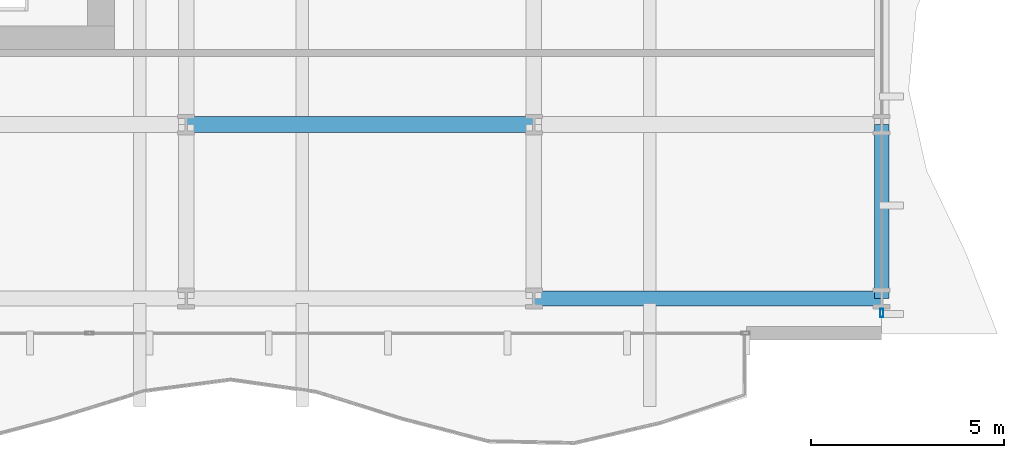
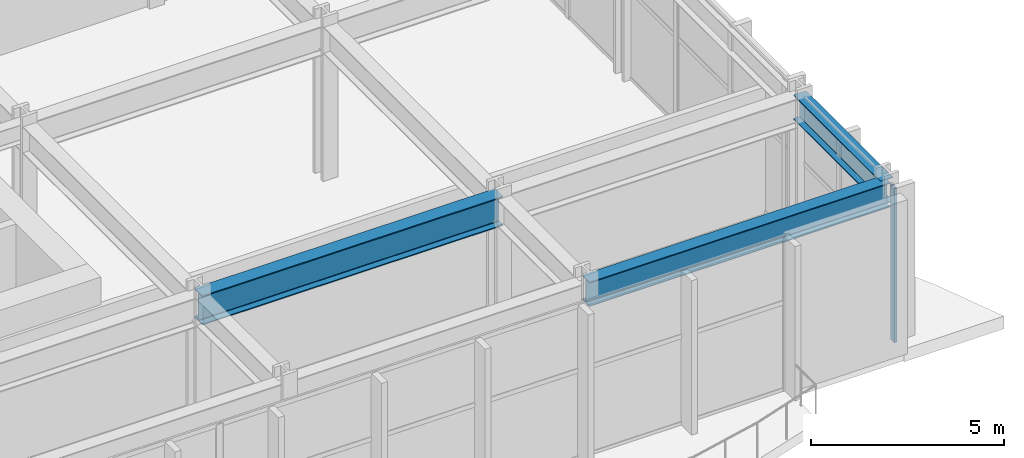
# One storey, part 9 of 31: 3 beams, 1 member, 1 element without a shape of its own.
"""IFC4 building model written with IfcOpenShell, lengths in metres."""

from ifc_helpers import new_model, si_unit, direction, frame, origin, origin_2d, place, context, subcontext, project, spatial, hollow_rectangle, i_section, extrude, material, layer, layer_set, material_profile, profile_set, type_object, element, aggregate, save


model = new_model("IFC4")

# Units and contexts
model_context = context("Model", 3, precision=1e-05, world=origin(), true_north=direction((0.0, 1.0)))
body_context = subcontext(model_context, "Body", "Model", "MODEL_VIEW")
ifc_project = project(units=[si_unit("LENGTHUNIT", "METRE"), si_unit("AREAUNIT", "SQUARE_METRE"), si_unit("VOLUMEUNIT", "CUBIC_METRE"), si_unit("PLANEANGLEUNIT", "RADIAN"), si_unit("MASSUNIT", "GRAM", prefix="KILO")], contexts=[model_context])

# Site, building, storey
site_placement = place(None, origin())
site = spatial("IfcSite", under=ifc_project, at=site_placement, CompositionType="ELEMENT")
building_placement = place(site_placement, origin())
building = spatial("IfcBuilding", under=site, at=building_placement, Name="Solvaryn Broadcast Tower", CompositionType="ELEMENT")
storey_placement = place(building_placement, frame((0.0, 0.0, 11.0)))
storey = spatial("IfcBuildingStorey", under=building, at=storey_placement, Name="L02", CompositionType="ELEMENT", Elevation=11.0)

# Beams
ifc_material_1 = material(Name="Steel ASTM A992 Grade 50", Category="steel")
ifc_material_profile_1 = material_profile(ifc_material_1, i_section(OverallWidth=0.41796875, OverallDepth=0.927001953125, WebThickness=0.019287109375, FlangeThickness=0.031982421875, FilletRadius=0.02392578125, at=origin_2d()))
ifc_profile_set_1 = profile_set([ifc_material_profile_1], Name="Steel ASTM A992 Grade 50")
beam_type_1 = type_object("IfcBeamType", Name="BM-G2-W36X231", PredefinedType="BEAM", material=ifc_profile_set_1)
beam_1_placement = place(storey_placement, frame((45.0, 9.0, 4.41650390625), z_axis=(1.0, 0.0, 0.0), x_axis=(0.0, 1.0, 0.0)))
element("IfcBeam", 1, at=beam_1_placement, inside=storey, type_object=beam_type_1, Name="L02 Primary Beam X (45-54 @ Y=9)", PredefinedType="BEAM", context=body_context, shape_type="SweptSolid", body=[
    extrude(i_section(OverallWidth=0.41796875, OverallDepth=0.927001953125, WebThickness=0.019287109375, FlangeThickness=0.031982421875, FilletRadius=0.02392578125, at=origin_2d()), origin(), (0.0, 0.0, 1.0), 9.0),
])
ifc_material_2 = material(Name="Steel ASTM A992 Grade 50", Category="steel")
ifc_material_profile_2 = material_profile(ifc_material_2, i_section(OverallWidth=0.381103515625, OverallDepth=0.77294921875, WebThickness=0.0166015625, FlangeThickness=0.027099609375, FilletRadius=0.01806640625, at=origin_2d()))
ifc_profile_set_2 = profile_set([ifc_material_profile_2], Name="Steel ASTM A992 Grade 50")
beam_type_2 = type_object("IfcBeamType", Name="BM-SP1-W30X173", PredefinedType="USERDEFINED", material=ifc_profile_set_2)
beam_2_placement = place(storey_placement, frame((54.0, 4.5, 4.493408203125), z_axis=(1.0, 0.0, 0.0), x_axis=(0.0, 1.0, 0.0)))
element("IfcBeam", 2, at=beam_2_placement, inside=storey, type_object=beam_type_2, Name="L02 Spandrel Beam X (54-63 @ Y=4)", ObjectType="SPANDREL", PredefinedType="USERDEFINED", context=body_context, shape_type="SweptSolid", body=[
    extrude(i_section(OverallWidth=0.381103515625, OverallDepth=0.77294921875, WebThickness=0.0166015625, FlangeThickness=0.027099609375, FilletRadius=0.01806640625, at=origin_2d()), origin(), (0.0, 0.0, 1.0), 9.0),
])
beam_3_placement = place(storey_placement, frame((63.0, 4.5, 4.493408203125), z_axis=(0.0, 1.0, 0.0), x_axis=(-1.0, 0.0, 0.0)))
element("IfcBeam", 3, at=beam_3_placement, inside=storey, type_object=beam_type_2, Name="L02 Spandrel Beam Y (4-9 @ X=63)", ObjectType="SPANDREL", PredefinedType="USERDEFINED", context=body_context, shape_type="SweptSolid", body=[
    extrude(i_section(OverallWidth=0.381103515625, OverallDepth=0.77294921875, WebThickness=0.0166015625, FlangeThickness=0.027099609375, FilletRadius=0.01806640625, at=origin_2d()), origin(), (0.0, 0.0, 1.0), 4.5),
])

# Curtain wall, member
ifc_material_3 = material(Name="Aluminium and Terracotta Unitised Curtain Wall", Category="masonry")
ifc_layer = layer(ifc_material_3, 0.219970703125)
ifc_layer_set = layer_set([ifc_layer], Name="CW-SYS1-PODIUM")
curtain_wall_type = type_object("IfcCurtainWallType", Name="CW-SYS1-PODIUM", PredefinedType="NOTDEFINED", material=ifc_layer_set)
curtain_wall_placement = place(storey_placement, origin())
curtain_wall = element("IfcCurtainWall", 4, at=curtain_wall_placement, inside=storey, type_object=curtain_wall_type, Name="L02 Podium Curtain Wall E2", PredefinedType="NOTDEFINED")
ifc_material_4 = material(Name="Anodised Aluminium 6063-T6", Category="aluminium")
ifc_material_profile_3 = material_profile(ifc_material_4, hollow_rectangle(XDim=0.0849609375, YDim=0.219970703125, WallThickness=0.0048828125, InnerFilletRadius=0.0048828125, OuterFilletRadius=0.010009765625, at=origin_2d()))
ifc_profile_set_3 = profile_set([ifc_material_profile_3], Name="Anodised Aluminium 6063-T6")
member_type = type_object("IfcMemberType", Name="CW-MUL-220", PredefinedType="MULLION", material=ifc_profile_set_3)
member_placement = place(storey_placement, frame((63.0, 4.1298828125, 0.0), z_axis=(0.0, 0.0, 1.0), x_axis=(1.0, 0.0, 0.0)))
member = element("IfcMember", 5, at=member_placement, type_object=member_type, Name="CWS1 mullion 3", PredefinedType="MULLION", context=body_context, shape_type="SweptSolid", body=[
    extrude(hollow_rectangle(XDim=0.0849609375, YDim=0.219970703125, WallThickness=0.0048828125, InnerFilletRadius=0.0048828125, OuterFilletRadius=0.010009765625, at=origin_2d()), origin(), (0.0, 0.0, 1.0), 4.8798828125),
])
aggregate(curtain_wall, [member])

save(model, "model.ifc")
